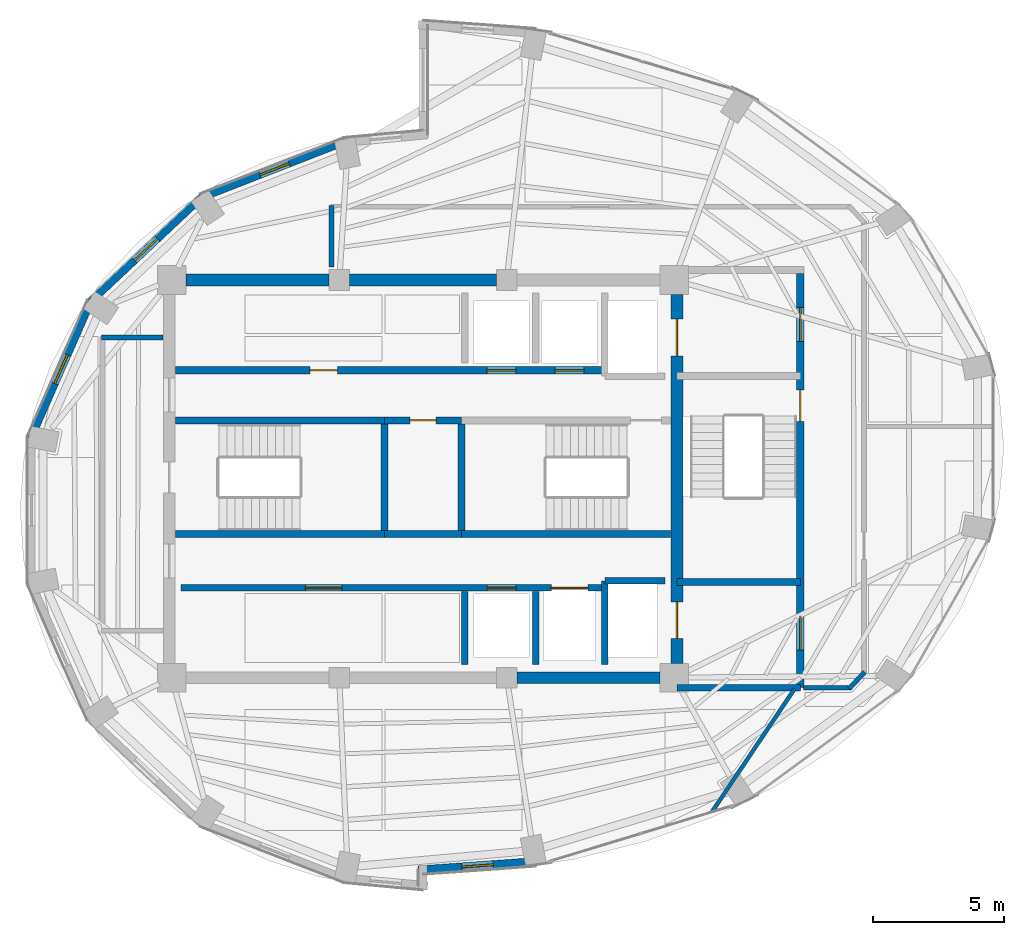
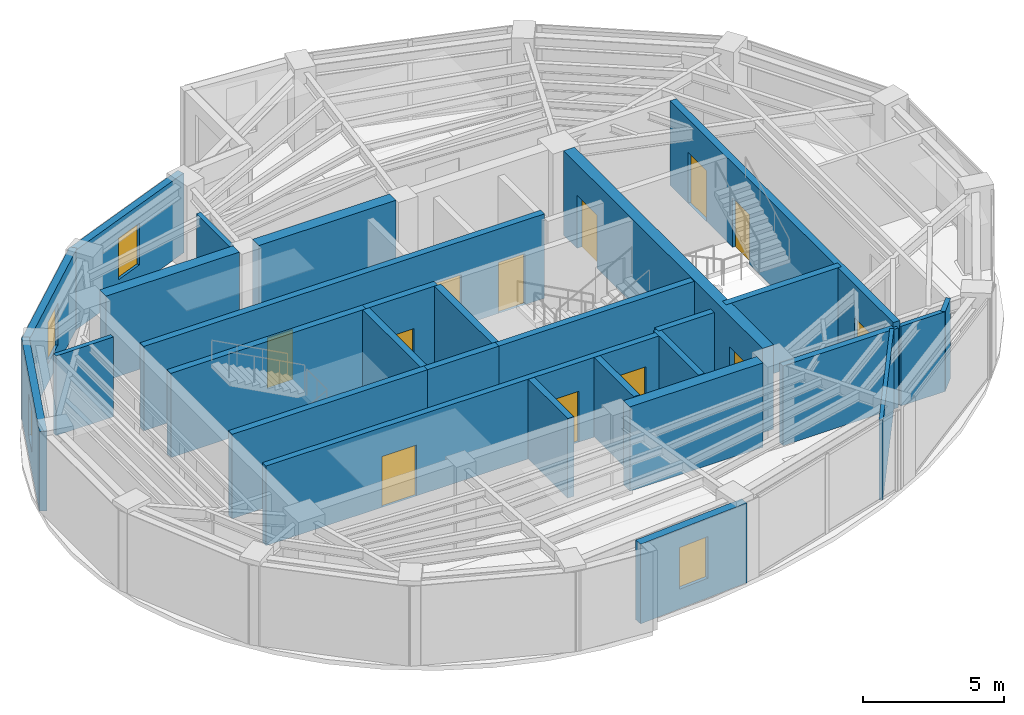
# One storey, part 9 of 12: 29 walls, 12 doors, 4 windows, 16 openings.
"""IFC4 building model written with IfcOpenShell, lengths in metres."""

from ifc_helpers import new_model, si_unit, direction, frame, frame_2d, origin, place, context, subcontext, project, spatial, rectangle, extrude, material, layer, layer_set, type_object, element, fill, save


model = new_model("IFC4")

# Units and contexts
model_context = context("Model", 3, precision=1e-05, world=origin(), true_north=direction((0.0, 1.0)))
body_context = subcontext(model_context, "Body", "Model", "MODEL_VIEW")
ifc_project = project(units=[si_unit("LENGTHUNIT", "METRE"), si_unit("AREAUNIT", "SQUARE_METRE"), si_unit("VOLUMEUNIT", "CUBIC_METRE"), si_unit("PLANEANGLEUNIT", "RADIAN"), si_unit("MASSUNIT", "GRAM", prefix="KILO")], contexts=[model_context])

# Site, building, storey
site_placement = place(None, origin())
site = spatial("IfcSite", under=ifc_project, at=site_placement, CompositionType="ELEMENT")
building_placement = place(site_placement, origin())
building = spatial("IfcBuilding", under=site, at=building_placement, Name="Lazwardi Medical Tower", CompositionType="ELEMENT")
storey_placement = place(building_placement, frame((0.0, 0.0, 287.85595703125)))
storey = spatial("IfcBuildingStorey", under=building, at=storey_placement, Name="L75", CompositionType="ELEMENT", Elevation=287.85595703125)

# Walls
ifc_material_1 = material(Name="Fire-rated gypsum board on steel stud", Category="steel")
ifc_layer_1 = layer(ifc_material_1, 0.179931640625)
ifc_layer_set_1 = layer_set([ifc_layer_1], Name="Fire-rated gypsum board on steel stud")
wall_type_1 = type_object("IfcWallType", Name="WL-COR-180", PredefinedType="PARTITIONING", material=ifc_layer_set_1)
wall_1_placement = place(storey_placement, frame((32.5, 36.090087890625, 0.0), z_axis=(0.0, 0.0, 1.0), x_axis=(0.0, 1.0, 0.0)))
element("IfcWall", 1, at=wall_1_placement, inside=storey, type_object=wall_type_1, Name="L75 Corridor partition 1", PredefinedType="PARTITIONING", context=body_context, shape_type="SweptSolid", body=[
    extrude(rectangle(XDim=2.349853515625, YDim=0.179931640625, at=frame_2d((1.1748046875, 0.0))), origin(), (0.0, 0.0, 1.0), 3.447998046875),
])
wall_2_placement = place(storey_placement, frame((52.877197265625, 20.619140625, 0.0), z_axis=(0.0, 0.0, 1.0), x_axis=(-0.682409308253, -0.730970270264, 0.0)))
element("IfcWall", 2, at=wall_2_placement, inside=storey, type_object=wall_type_1, Name="L75 Corridor partition 5", PredefinedType="PARTITIONING", context=body_context, shape_type="SweptSolid", body=[
    extrude(rectangle(XDim=0.859619140625, YDim=0.179931640625, at=frame_2d((0.4296875, 0.0))), origin(), (0.0, 0.0, 1.0), 3.447998046875),
])
wall_3_placement = place(storey_placement, frame((52.35791015625, 20.02001953125, 0.0), z_axis=(0.0, 0.0, 1.0), x_axis=(-1.0, 0.0, 0.0)))
element("IfcWall", 3, at=wall_3_placement, inside=storey, type_object=wall_type_1, Name="L75 Corridor partition 6", PredefinedType="PARTITIONING", context=body_context, shape_type="SweptSolid", body=[
    extrude(rectangle(XDim=1.81787109375, YDim=0.179931640625, at=frame_2d((0.908935546875, 0.0))), origin(), (0.0, 0.0, 1.0), 3.447998046875),
])
wall_4_placement = place(storey_placement, frame((23.7099609375, 33.39990234375, 0.0), z_axis=(0.0, 0.0, 1.0), x_axis=(1.0, 0.0, 0.0)))
element("IfcWall", 4, at=wall_4_placement, inside=storey, type_object=wall_type_1, Name="L75 Corridor partition 9", PredefinedType="PARTITIONING", context=body_context, shape_type="SweptSolid", body=[
    extrude(rectangle(XDim=2.35009765625, YDim=0.179931640625, at=frame_2d((1.175048828125, 0.0))), origin(), (0.0, 0.0, 1.0), 3.447998046875),
])

# Wall, openings, doors
ifc_material_2 = material(Name="Concrete C60/75", Category="concrete")
ifc_layer_2 = layer(ifc_material_2, 0.449951171875)
ifc_layer_set_2 = layer_set([ifc_layer_2], Name="Concrete C60/75")
wall_type_2 = type_object("IfcWallType", Name="WL-CORE-450", PredefinedType="SHEAR", material=ifc_layer_set_2)
wall_5_placement = place(storey_placement, frame((45.699951171875, 20.949951171875, 0.0), z_axis=(0.0, 0.0, 1.0), x_axis=(0.0, 1.0, 0.0)))
wall_5 = element("IfcWall", 5, at=wall_5_placement, inside=storey, type_object=wall_type_2, Name="Core wall CW-S4 east L75", PredefinedType="SHEAR", context=body_context, shape_type="SweptSolid", body=[
    extrude(rectangle(XDim=14.10009765625, YDim=0.449951171875, at=frame_2d((7.050048828125, 0.0))), origin(), (0.0, 0.0, 1.0), 3.64794921875),
])
opening_1_placement = place(wall_5_placement, frame((11.75, 0.0, 0.0)))
opening_1 = element("IfcOpeningElement", 6, at=opening_1_placement, cuts=wall_5, Name="Opening LD-L75-001", PredefinedType="OPENING", context=body_context, shape_type="SweptSolid", body=[
    extrude(rectangle(XDim=1.39990234375, YDim=2.300048828125, at=frame_2d((0.699951171875, 1.14990234375))), frame((0.0, 0.23486328125, 0.0), z_axis=(0.0, -1.0, 0.0), x_axis=(1.0, 0.0, 0.0)), (0.0, 0.0, 1.0), 0.469970703125),
])
opening_2_placement = place(wall_5_placement, frame((0.949951171875, 0.0, 0.0)))
opening_2 = element("IfcOpeningElement", 7, at=opening_2_placement, cuts=wall_5, Name="Opening LD-L75-002", PredefinedType="OPENING", context=body_context, shape_type="SweptSolid", body=[
    extrude(rectangle(XDim=1.39990234375, YDim=2.300048828125, at=frame_2d((0.699951171875, 1.14990234375))), frame((0.0, 0.23486328125, 0.0), z_axis=(0.0, -1.0, 0.0), x_axis=(1.0, 0.0, 0.0)), (0.0, 0.0, 1.0), 0.469970703125),
])
ifc_material_3 = material(Name="Brushed stainless steel bed-lift landing door", Category="steel")
door_type_1 = type_object("IfcDoorType", Name="DR-LFT-1400", OperationType="NOTDEFINED", PredefinedType="DOOR", material=ifc_material_3)
door_1_placement = place(opening_1_placement, origin())
door_1 = element("IfcDoor", 8, at=door_1_placement, inside=storey, type_object=door_type_1, Name="L75 Lift Landing Door FL-01", OperationType="SLIDING_TO_LEFT", OverallHeight=2.300048828125, OverallWidth=1.39990234375, PredefinedType="DOOR", context=body_context, shape_type="SweptSolid", body=[
    extrude(rectangle(XDim=1.39990234375, YDim=2.300048828125, at=frame_2d((0.699951171875, 1.14990234375))), frame((0.0, 0.02490234375, 0.0), z_axis=(0.0, -1.0, 0.0), x_axis=(1.0, 0.0, 0.0)), (0.0, 0.0, 1.0), 0.050048828125),
])
fill(opening_1, door_1)
door_2_placement = place(opening_2_placement, origin())
door_2 = element("IfcDoor", 9, at=door_2_placement, inside=storey, type_object=door_type_1, Name="L75 Lift Landing Door FL-02", OperationType="SLIDING_TO_LEFT", OverallHeight=2.300048828125, OverallWidth=1.39990234375, PredefinedType="DOOR", context=body_context, shape_type="SweptSolid", body=[
    extrude(rectangle(XDim=1.39990234375, YDim=2.300048828125, at=frame_2d((0.699951171875, 1.14990234375))), frame((0.0, 0.02490234375, 0.0), z_axis=(0.0, -1.0, 0.0), x_axis=(1.0, 0.0, 0.0)), (0.0, 0.0, 1.0), 0.050048828125),
])
fill(opening_2, door_2)

# Walls
wall_6_placement = place(storey_placement, frame((26.949951171875, 35.60009765625, 0.0), z_axis=(0.0, 0.0, 1.0), x_axis=(1.0, 0.0, 0.0)))
element("IfcWall", 10, at=wall_6_placement, inside=storey, type_object=wall_type_2, Name="Core wall CW-S4 N1 L75", PredefinedType="SHEAR", context=body_context, shape_type="SweptSolid", body=[
    extrude(rectangle(XDim=5.449951171875, YDim=0.449951171875, at=frame_2d((2.72509765625, 0.0))), origin(), (0.0, 0.0, 1.0), 3.64794921875),
])
wall_7_placement = place(storey_placement, frame((33.199951171875, 35.60009765625, 0.0), z_axis=(0.0, 0.0, 1.0), x_axis=(1.0, 0.0, 0.0)))
element("IfcWall", 11, at=wall_7_placement, inside=storey, type_object=wall_type_2, Name="Core wall CW-S4 N2 L75", PredefinedType="SHEAR", context=body_context, shape_type="SweptSolid", body=[
    extrude(rectangle(XDim=5.60009765625, YDim=0.449951171875, at=frame_2d((2.800048828125, 0.0))), origin(), (0.0, 0.0, 1.0), 3.64794921875),
])
wall_8_placement = place(storey_placement, frame((39.60009765625, 20.39990234375, 0.0), z_axis=(0.0, 0.0, 1.0), x_axis=(1.0, 0.0, 0.0)))
element("IfcWall", 12, at=wall_8_placement, inside=storey, type_object=wall_type_2, Name="Core wall CW-S4 S3 L75", PredefinedType="SHEAR", context=body_context, shape_type="SweptSolid", body=[
    extrude(rectangle(XDim=5.449951171875, YDim=0.449951171875, at=frame_2d((2.72509765625, 0.0))), origin(), (0.0, 0.0, 1.0), 3.64794921875),
])

# Wall, opening, window
ifc_material_4 = material(Name="Precast concrete C45/55", Category="concrete")
ifc_layer_3 = layer(ifc_material_4, 0.280029296875)
ifc_layer_set_3 = layer_set([ifc_layer_3], Name="Precast concrete C45/55")
wall_type_3 = type_object("IfcWallType", Name="WL-DRUM-280", PredefinedType="SOLIDWALL", material=ifc_layer_set_3)
wall_9_placement = place(storey_placement, frame((33.227783203125, 40.964111328125, 0.0), z_axis=(0.0, 0.0, 1.0), x_axis=(-0.931716550814, -0.36318627306, 0.0)))
wall_9 = element("IfcWall", 13, at=wall_9_placement, inside=storey, type_object=wall_type_3, Name="L75 West Drum Precast Wall 1", PredefinedType="SOLIDWALL", context=body_context, shape_type="SweptSolid", body=[
    extrude(rectangle(XDim=6.22412109375, YDim=0.280029296875, at=frame_2d((3.112060546875, 0.0))), origin(), (0.0, 0.0, 1.0), 3.447998046875),
])
opening_3_placement = place(wall_9_placement, frame((2.511962890625, 0.0, 0.85009765625)))
opening_3 = element("IfcOpeningElement", 14, at=opening_3_placement, cuts=wall_9, Name="Opening WN-04", PredefinedType="OPENING", context=body_context, shape_type="SweptSolid", body=[
    extrude(rectangle(XDim=1.199951171875, YDim=1.800048828125, at=frame_2d((0.60009765625, 0.89990234375))), frame((0.0, 0.14990234375, 0.0), z_axis=(0.0, -1.0, 0.0), x_axis=(1.0, 0.0, 0.0)), (0.0, 0.0, 1.0), 0.300048828125),
])
ifc_material_5 = material(Name="Low-e bronze solar control double glazing", Category="glass")
window_type = type_object("IfcWindowType", Name="WIN-DRUM-1200", PartitioningType="SINGLE_PANEL", PredefinedType="WINDOW", material=ifc_material_5)
window_1_placement = place(opening_3_placement, origin())
window_1 = element("IfcWindow", 15, at=window_1_placement, inside=storey, type_object=window_type, Name="L75 West Drum Window 1", OverallHeight=1.800048828125, OverallWidth=1.199951171875, PartitioningType="SINGLE_PANEL", PredefinedType="WINDOW", context=body_context, shape_type="SweptSolid", body=[
    extrude(rectangle(XDim=1.199951171875, YDim=1.800048828125, at=frame_2d((0.60009765625, 0.89990234375))), frame((0.0, 0.030029296875, 0.0), z_axis=(0.0, -1.0, 0.0), x_axis=(1.0, 0.0, 0.0)), (0.0, 0.0, 1.0), 0.06005859375),
])
fill(opening_3, window_1)

wall_10_placement = place(storey_placement, frame((27.5947265625, 38.808349609375, 0.0), z_axis=(0.0, 0.0, 1.0), x_axis=(-0.728251519923, -0.685309947199, 0.0)))
wall_10 = element("IfcWall", 16, at=wall_10_placement, inside=storey, type_object=wall_type_3, Name="L75 West Drum Precast Wall 2", PredefinedType="SOLIDWALL", context=body_context, shape_type="SweptSolid", body=[
    extrude(rectangle(XDim=5.98095703125, YDim=0.280029296875, at=frame_2d((2.990478515625, 0.0))), origin(), (0.0, 0.0, 1.0), 3.447998046875),
])
opening_4_placement = place(wall_10_placement, frame((2.390625, 0.0, 0.85009765625)))
opening_4 = element("IfcOpeningElement", 17, at=opening_4_placement, cuts=wall_10, Name="Opening WN-04", PredefinedType="OPENING", context=body_context, shape_type="SweptSolid", body=[
    extrude(rectangle(XDim=1.199951171875, YDim=1.800048828125, at=frame_2d((0.60009765625, 0.89990234375))), frame((0.0, 0.14990234375, 0.0), z_axis=(0.0, -1.0, 0.0), x_axis=(1.0, 0.0, 0.0)), (0.0, 0.0, 1.0), 0.300048828125),
])
window_2_placement = place(opening_4_placement, origin())
window_2 = element("IfcWindow", 18, at=window_2_placement, inside=storey, type_object=window_type, Name="L75 West Drum Window 2", OverallHeight=1.800048828125, OverallWidth=1.199951171875, PartitioningType="SINGLE_PANEL", PredefinedType="WINDOW", context=body_context, shape_type="SweptSolid", body=[
    extrude(rectangle(XDim=1.199951171875, YDim=1.800048828125, at=frame_2d((0.60009765625, 0.89990234375))), frame((0.0, 0.030029296875, 0.0), z_axis=(0.0, -1.0, 0.0), x_axis=(1.0, 0.0, 0.0)), (0.0, 0.0, 1.0), 0.06005859375),
])
fill(opening_4, window_2)

wall_11_placement = place(storey_placement, frame((23.35205078125, 34.869384765625, 0.0), z_axis=(0.0, 0.0, 1.0), x_axis=(-0.402882523888, -0.915251698685, 0.0)))
wall_11 = element("IfcWall", 19, at=wall_11_placement, inside=storey, type_object=wall_type_3, Name="L75 West Drum Precast Wall 3", PredefinedType="SOLIDWALL", context=body_context, shape_type="SweptSolid", body=[
    extrude(rectangle(XDim=5.855712890625, YDim=0.280029296875, at=frame_2d((2.927734375, 0.0))), origin(), (0.0, 0.0, 1.0), 3.447998046875),
])
opening_5_placement = place(wall_11_placement, frame((2.327880859375, 0.0, 0.85009765625)))
opening_5 = element("IfcOpeningElement", 20, at=opening_5_placement, cuts=wall_11, Name="Opening WN-04", PredefinedType="OPENING", context=body_context, shape_type="SweptSolid", body=[
    extrude(rectangle(XDim=1.199951171875, YDim=1.800048828125, at=frame_2d((0.60009765625, 0.89990234375))), frame((0.0, 0.14990234375, 0.0), z_axis=(0.0, -1.0, 0.0), x_axis=(1.0, 0.0, 0.0)), (0.0, 0.0, 1.0), 0.300048828125),
])
window_3_placement = place(opening_5_placement, origin())
window_3 = element("IfcWindow", 21, at=window_3_placement, inside=storey, type_object=window_type, Name="L75 West Drum Window 3", OverallHeight=1.800048828125, OverallWidth=1.199951171875, PartitioningType="SINGLE_PANEL", PredefinedType="WINDOW", context=body_context, shape_type="SweptSolid", body=[
    extrude(rectangle(XDim=1.199951171875, YDim=1.800048828125, at=frame_2d((0.60009765625, 0.89990234375))), frame((0.0, 0.030029296875, 0.0), z_axis=(0.0, -1.0, 0.0), x_axis=(1.0, 0.0, 0.0)), (0.0, 0.0, 1.0), 0.06005859375),
])
fill(opening_5, window_3)

ifc_layer_4 = layer(ifc_material_4, 0.320068359375)
ifc_layer_set_4 = layer_set([ifc_layer_4], Name="Precast concrete C45/55")
wall_type_4 = type_object("IfcWallType", Name="WL-IWAN-320", PredefinedType="SOLIDWALL", material=ifc_layer_set_4)
wall_12_placement = place(storey_placement, frame((35.820556640625, 13.047119140625, 0.0), z_axis=(0.0, 0.0, 1.0), x_axis=(0.997409061056, 0.071938619141, 0.0)))
wall_12 = element("IfcWall", 22, at=wall_12_placement, inside=storey, type_object=wall_type_4, Name="L75 Iwan Portal Return Wall SE_ret", PredefinedType="SOLIDWALL", context=body_context, shape_type="SweptSolid", body=[
    extrude(rectangle(XDim=4.540771484375, YDim=0.320068359375, at=frame_2d((2.2705078125, 0.0))), origin(), (0.0, 0.0, 1.0), 3.447998046875),
])
opening_6_placement = place(wall_12_placement, frame((1.67041015625, 0.0, 0.85009765625)))
opening_6 = element("IfcOpeningElement", 23, at=opening_6_placement, cuts=wall_12, Name="Opening WN-04", PredefinedType="OPENING", context=body_context, shape_type="SweptSolid", body=[
    extrude(rectangle(XDim=1.199951171875, YDim=1.800048828125, at=frame_2d((0.60009765625, 0.89990234375))), frame((0.0, 0.169921875, 0.0), z_axis=(0.0, -1.0, 0.0), x_axis=(1.0, 0.0, 0.0)), (0.0, 0.0, 1.0), 0.340087890625),
])
window_4_placement = place(opening_6_placement, origin())
window_4 = element("IfcWindow", 24, at=window_4_placement, inside=storey, type_object=window_type, Name="L75 Iwan Slot Window SE_ret", OverallHeight=1.800048828125, OverallWidth=1.199951171875, PartitioningType="SINGLE_PANEL", PredefinedType="WINDOW", context=body_context, shape_type="SweptSolid", body=[
    extrude(rectangle(XDim=1.199951171875, YDim=1.800048828125, at=frame_2d((0.60009765625, 0.89990234375))), frame((0.0, 0.030029296875, 0.0), z_axis=(0.0, -1.0, 0.0), x_axis=(1.0, 0.0, 0.0)), (0.0, 0.0, 1.0), 0.06005859375),
])
fill(opening_6, window_4)

# Wall, openings, doors
ifc_material_6 = material(Name="Autoclaved aerated concrete blockwork", Category="masonry")
ifc_layer_5 = layer(ifc_material_6, 0.25)
ifc_layer_set_5 = layer_set([ifc_layer_5], Name="Autoclaved aerated concrete blockwork")
wall_type_5 = type_object("IfcWallType", Name="WL-SHAFT-250", PredefinedType="SOLIDWALL", material=ifc_layer_set_5)
wall_13_placement = place(storey_placement, frame((26.75, 23.830078125, 0.0), z_axis=(0.0, 0.0, 1.0), x_axis=(1.0, 0.0, 0.0)))
wall_13 = element("IfcWall", 25, at=wall_13_placement, inside=storey, type_object=wall_type_5, Name="L75 South lift bank front wall", PredefinedType="SOLIDWALL", context=body_context, shape_type="SweptSolid", body=[
    extrude(rectangle(XDim=16.199951171875, YDim=0.25, at=frame_2d((8.10009765625, 0.0))), origin(), (0.0, 0.0, 1.0), 3.447998046875),
])
opening_7_placement = place(wall_13_placement, frame((4.75, 0.0, 0.0)))
opening_7 = element("IfcOpeningElement", 26, at=opening_7_placement, cuts=wall_13, Name="Opening D-L75-003", PredefinedType="OPENING", context=body_context, shape_type="SweptSolid", body=[
    extrude(rectangle(XDim=1.39990234375, YDim=2.199951171875, at=frame_2d((0.699951171875, 1.10009765625))), frame((0.0, 0.135009765625, 0.0), z_axis=(0.0, -1.0, 0.0), x_axis=(1.0, 0.0, 0.0)), (0.0, 0.0, 1.0), 0.27001953125),
])
opening_8_placement = place(wall_13_placement, frame((11.699951171875, 0.0, 0.0)))
opening_8 = element("IfcOpeningElement", 27, at=opening_8_placement, cuts=wall_13, Name="Opening LD-L75-006", PredefinedType="OPENING", context=body_context, shape_type="SweptSolid", body=[
    extrude(rectangle(XDim=1.10009765625, YDim=2.199951171875, at=frame_2d((0.550048828125, 1.10009765625))), frame((0.0, 0.135009765625, 0.0), z_axis=(0.0, -1.0, 0.0), x_axis=(1.0, 0.0, 0.0)), (0.0, 0.0, 1.0), 0.27001953125),
])
opening_9_placement = place(wall_13_placement, frame((14.14990234375, 0.0, 0.0)))
opening_9 = element("IfcOpeningElement", 28, at=opening_9_placement, cuts=wall_13, Name="Opening LD-L75-003", PredefinedType="OPENING", context=body_context, shape_type="SweptSolid", body=[
    extrude(rectangle(XDim=1.39990234375, YDim=2.300048828125, at=frame_2d((0.699951171875, 1.14990234375))), frame((0.0, 0.135009765625, 0.0), z_axis=(0.0, -1.0, 0.0), x_axis=(1.0, 0.0, 0.0)), (0.0, 0.0, 1.0), 0.27001953125),
])
ifc_material_7 = material(Name="Anti-microbial laminate hospital leaf")
door_type_2 = type_object("IfcDoorType", Name="DR-BED-1400", OperationType="NOTDEFINED", PredefinedType="DOOR", material=ifc_material_7)
door_3_placement = place(opening_7_placement, origin())
door_3 = element("IfcDoor", 29, at=door_3_placement, inside=storey, type_object=door_type_2, Name="L75 Core South Suite Door", OperationType="SINGLE_SWING_LEFT", OverallHeight=2.199951171875, OverallWidth=1.39990234375, PredefinedType="DOOR", context=body_context, shape_type="SweptSolid", body=[
    extrude(rectangle(XDim=1.39990234375, YDim=2.199951171875, at=frame_2d((0.699951171875, 1.10009765625))), frame((0.0, 0.02490234375, 0.0), z_axis=(0.0, -1.0, 0.0), x_axis=(1.0, 0.0, 0.0)), (0.0, 0.0, 1.0), 0.050048828125),
])
fill(opening_7, door_3)
ifc_material_8 = material(Name="Brushed bronze stainless steel landing door", Category="steel")
door_type_3 = type_object("IfcDoorType", Name="DR-LFT-1100", OperationType="NOTDEFINED", PredefinedType="DOOR", material=ifc_material_8)
door_4_placement = place(opening_8_placement, origin())
door_4 = element("IfcDoor", 30, at=door_4_placement, inside=storey, type_object=door_type_3, Name="L75 Lift Landing Door PL-11", OperationType="SLIDING_TO_LEFT", OverallHeight=2.199951171875, OverallWidth=1.10009765625, PredefinedType="DOOR", context=body_context, shape_type="SweptSolid", body=[
    extrude(rectangle(XDim=1.10009765625, YDim=2.199951171875, at=frame_2d((0.550048828125, 1.10009765625))), frame((0.0, 0.02490234375, 0.0), z_axis=(0.0, -1.0, 0.0), x_axis=(1.0, 0.0, 0.0)), (0.0, 0.0, 1.0), 0.050048828125),
])
fill(opening_8, door_4)
door_5_placement = place(opening_9_placement, origin())
door_5 = element("IfcDoor", 31, at=door_5_placement, inside=storey, type_object=door_type_1, Name="L75 Lift Landing Door FL-03", OperationType="SLIDING_TO_LEFT", OverallHeight=2.300048828125, OverallWidth=1.39990234375, PredefinedType="DOOR", context=body_context, shape_type="SweptSolid", body=[
    extrude(rectangle(XDim=1.39990234375, YDim=2.300048828125, at=frame_2d((0.699951171875, 1.14990234375))), frame((0.0, 0.02490234375, 0.0), z_axis=(0.0, -1.0, 0.0), x_axis=(1.0, 0.0, 0.0)), (0.0, 0.0, 1.0), 0.050048828125),
])
fill(opening_9, door_5)

# Walls
wall_14_placement = place(storey_placement, frame((42.949951171875, 20.89990234375, 0.0), z_axis=(0.0, 0.0, 1.0), x_axis=(0.0, 1.0, 0.0)))
element("IfcWall", 32, at=wall_14_placement, inside=storey, type_object=wall_type_5, Name="L75 FL-02 West shaft wall", PredefinedType="SOLIDWALL", context=body_context, shape_type="SweptSolid", body=[
    extrude(rectangle(XDim=3.2001953125, YDim=0.25, at=frame_2d((1.60009765625, 0.0))), origin(), (0.0, 0.0, 1.0), 3.447998046875),
])
wall_15_placement = place(storey_placement, frame((42.949951171875, 24.10009765625, 0.0), z_axis=(0.0, 0.0, 1.0), x_axis=(1.0, 0.0, 0.0)))
element("IfcWall", 33, at=wall_15_placement, inside=storey, type_object=wall_type_5, Name="L75 FL-02 North shaft wall", PredefinedType="SOLIDWALL", context=body_context, shape_type="SweptSolid", body=[
    extrude(rectangle(XDim=2.300048828125, YDim=0.25, at=frame_2d((1.14990234375, 0.0))), origin(), (0.0, 0.0, 1.0), 3.447998046875),
])
for number, where, z_axis, x_axis, name in (
    (34, (37.60009765625, 20.89990234375, 0.0), (0.0, 0.0, 1.0), (0.0, 1.0, 0.0), "L75 South hoistway divider"),
    (35, (40.300048828125, 20.89990234375, 0.0), (0.0, 0.0, 1.0), (0.0, 1.0, 0.0), "L75 South hoistway divider"),
):
    element("IfcWall", number, at=place(storey_placement, frame(where, z_axis=z_axis, x_axis=x_axis)), inside=storey, type_object=wall_type_5, Name=name, PredefinedType="SOLIDWALL", context=body_context, shape_type="SweptSolid", body=[
        extrude(rectangle(XDim=2.800048828125, YDim=0.25, at=frame_2d((1.39990234375, 0.0))), origin(), (0.0, 0.0, 1.0), 3.447998046875),
    ])
wall_16_placement = place(storey_placement, frame((45.699951171875, 20.02001953125, 0.0), z_axis=(0.0, 0.0, 1.0), x_axis=(1.0, 0.0, 0.0)))
element("IfcWall", 36, at=wall_16_placement, inside=storey, type_object=wall_type_5, Name="L75 FFL-S South wall", PredefinedType="SOLIDWALL", context=body_context, shape_type="SweptSolid", body=[
    extrude(rectangle(XDim=4.715087890625, YDim=0.25, at=frame_2d((2.357421875, 0.0))), origin(), (0.0, 0.0, 1.0), 3.447998046875),
])
ifc_material_9 = material(Name="Concrete C50/60", Category="concrete")
ifc_layer_6 = layer(ifc_material_9, 0.27001953125)
ifc_layer_set_6 = layer_set([ifc_layer_6], Name="Concrete C50/60")
wall_type_6 = type_object("IfcWallType", Name="WL-STR-250", PredefinedType="SHEAR", material=ifc_layer_set_6)
wall_17_placement = place(storey_placement, frame((26.550048828125, 30.235107421875, 0.0), z_axis=(0.0, 0.0, 1.0), x_axis=(1.0, 0.0, 0.0)))
element("IfcWall", 37, at=wall_17_placement, inside=storey, type_object=wall_type_6, Name="L75 ST1 North shear shaft wall SW-S1", PredefinedType="SHEAR", context=body_context, shape_type="SweptSolid", body=[
    extrude(rectangle(XDim=7.98486328125, YDim=0.27001953125, at=frame_2d((3.992431640625, 0.0))), origin(), (0.0, 0.0, 1.0), 3.64794921875),
])

# Wall, opening, door
wall_18_placement = place(storey_placement, frame((34.534912109375, 30.235107421875, 0.0), z_axis=(0.0, 0.0, 1.0), x_axis=(1.0, 0.0, 0.0)))
wall_18 = element("IfcWall", 38, at=wall_18_placement, inside=storey, type_object=wall_type_6, Name="L75 Core service North shear wall SW-S1", PredefinedType="SHEAR", context=body_context, shape_type="SweptSolid", body=[
    extrude(rectangle(XDim=2.93017578125, YDim=0.27001953125, at=frame_2d((1.465087890625, 0.0))), origin(), (0.0, 0.0, 1.0), 3.64794921875),
])
opening_10_placement = place(wall_18_placement, frame((0.965087890625, 0.0, 0.0)))
opening_10 = element("IfcOpeningElement", 39, at=opening_10_placement, cuts=wall_18, Name="Opening D-L75-001", PredefinedType="OPENING", context=body_context, shape_type="SweptSolid", body=[
    extrude(rectangle(XDim=1.0, YDim=2.10009765625, at=frame_2d((0.5, 1.050048828125))), frame((0.0, 0.14501953125, 0.0), z_axis=(0.0, -1.0, 0.0), x_axis=(1.0, 0.0, 0.0)), (0.0, 0.0, 1.0), 0.2900390625),
])
ifc_material_10 = material(Name="Moisture-resistant laminate door leaf")
door_type_4 = type_object("IfcDoorType", Name="DR-AWC-1000", OperationType="NOTDEFINED", PredefinedType="DOOR", material=ifc_material_10)
door_6_placement = place(opening_10_placement, origin())
door_6 = element("IfcDoor", 40, at=door_6_placement, inside=storey, type_object=door_type_4, Name="L75 Accessible WC Door", OperationType="SINGLE_SWING_LEFT", OverallHeight=2.10009765625, OverallWidth=1.0, PredefinedType="DOOR", context=body_context, shape_type="SweptSolid", body=[
    extrude(rectangle(XDim=1.0, YDim=2.10009765625, at=frame_2d((0.5, 1.050048828125))), frame((0.0, 0.02490234375, 0.0), z_axis=(0.0, -1.0, 0.0), x_axis=(1.0, 0.0, 0.0)), (0.0, 0.0, 1.0), 0.050048828125),
])
fill(opening_10, door_6)

# Walls
wall_19_placement = place(storey_placement, frame((26.550048828125, 25.885009765625, 0.0), z_axis=(0.0, 0.0, 1.0), x_axis=(1.0, 0.0, 0.0)))
element("IfcWall", 41, at=wall_19_placement, inside=storey, type_object=wall_type_6, Name="L75 ST1 South shear shaft wall SW-S1", PredefinedType="SHEAR", context=body_context, shape_type="SweptSolid", body=[
    extrude(rectangle(XDim=7.98486328125, YDim=0.27001953125, at=frame_2d((3.992431640625, 0.0))), origin(), (0.0, 0.0, 1.0), 3.64794921875),
])
wall_20_placement = place(storey_placement, frame((34.534912109375, 25.885009765625, 0.0), z_axis=(0.0, 0.0, 1.0), x_axis=(1.0, 0.0, 0.0)))
element("IfcWall", 42, at=wall_20_placement, inside=storey, type_object=wall_type_6, Name="L75 Core service South shear wall SW-S1", PredefinedType="SHEAR", context=body_context, shape_type="SweptSolid", body=[
    extrude(rectangle(XDim=2.93017578125, YDim=0.27001953125, at=frame_2d((1.465087890625, 0.0))), origin(), (0.0, 0.0, 1.0), 3.64794921875),
])
wall_21_placement = place(storey_placement, frame((37.465087890625, 25.885009765625, 0.0), z_axis=(0.0, 0.0, 1.0), x_axis=(1.0, 0.0, 0.0)))
element("IfcWall", 43, at=wall_21_placement, inside=storey, type_object=wall_type_6, Name="L75 ST2 South shear shaft wall SW-S1", PredefinedType="SHEAR", context=body_context, shape_type="SweptSolid", body=[
    extrude(rectangle(XDim=7.98486328125, YDim=0.27001953125, at=frame_2d((3.992431640625, 0.0))), origin(), (0.0, 0.0, 1.0), 3.64794921875),
])
for number, where, z_axis, x_axis, name in (
    (44, (34.534912109375, 26.02001953125, 0.0), (0.0, 0.0, 1.0), (0.0, 1.0, 0.0), "L75 ST1 East shear shaft wall SW-S1"),
    (45, (37.465087890625, 26.02001953125, 0.0), (0.0, 0.0, 1.0), (0.0, 1.0, 0.0), "L75 ST2 West shear shaft wall SW-S1"),
):
    element("IfcWall", number, at=place(storey_placement, frame(where, z_axis=z_axis, x_axis=x_axis)), inside=storey, type_object=wall_type_6, Name=name, PredefinedType="SHEAR", context=body_context, shape_type="SweptSolid", body=[
        extrude(rectangle(XDim=4.080078125, YDim=0.27001953125, at=frame_2d((2.0400390625, 0.0))), origin(), (0.0, 0.0, 1.0), 3.64794921875),
    ])

# Wall, openings, doors
wall_22_placement = place(storey_placement, frame((26.550048828125, 32.14990234375, 0.0), z_axis=(0.0, 0.0, 1.0), x_axis=(1.0, 0.0, 0.0)))
wall_22 = element("IfcWall", 46, at=wall_22_placement, inside=storey, type_object=wall_type_6, Name="L75 North lift bank shear wall SW-S1", PredefinedType="SHEAR", context=body_context, shape_type="SweptSolid", body=[
    extrude(rectangle(XDim=16.39990234375, YDim=0.27001953125, at=frame_2d((8.199951171875, 0.0))), origin(), (0.0, 0.0, 1.0), 3.64794921875),
])
opening_11_placement = place(wall_22_placement, frame((5.125, 0.0, 0.0)))
opening_11 = element("IfcOpeningElement", 47, at=opening_11_placement, cuts=wall_22, Name="Opening D-L75-002", PredefinedType="OPENING", context=body_context, shape_type="SweptSolid", body=[
    extrude(rectangle(XDim=1.050048828125, YDim=2.14990234375, at=frame_2d((0.52490234375, 1.074951171875))), frame((0.0, 0.14501953125, 0.0), z_axis=(0.0, -1.0, 0.0), x_axis=(1.0, 0.0, 0.0)), (0.0, 0.0, 1.0), 0.2900390625),
])
opening_12_placement = place(wall_22_placement, frame((11.89990234375, 0.0, 0.0)))
opening_12 = element("IfcOpeningElement", 48, at=opening_12_placement, cuts=wall_22, Name="Opening LD-L75-004", PredefinedType="OPENING", context=body_context, shape_type="SweptSolid", body=[
    extrude(rectangle(XDim=1.10009765625, YDim=2.199951171875, at=frame_2d((0.550048828125, 1.10009765625))), frame((0.0, 0.14501953125, 0.0), z_axis=(0.0, -1.0, 0.0), x_axis=(1.0, 0.0, 0.0)), (0.0, 0.0, 1.0), 0.2900390625),
])
opening_13_placement = place(wall_22_placement, frame((14.5, 0.0, 0.0)))
opening_13 = element("IfcOpeningElement", 49, at=opening_13_placement, cuts=wall_22, Name="Opening LD-L75-005", PredefinedType="OPENING", context=body_context, shape_type="SweptSolid", body=[
    extrude(rectangle(XDim=1.10009765625, YDim=2.199951171875, at=frame_2d((0.550048828125, 1.10009765625))), frame((0.0, 0.14501953125, 0.0), z_axis=(0.0, -1.0, 0.0), x_axis=(1.0, 0.0, 0.0)), (0.0, 0.0, 1.0), 0.2900390625),
])
door_type_5 = type_object("IfcDoorType", Name="DR-CLN-1050", OperationType="NOTDEFINED", PredefinedType="DOOR", material=ifc_material_7)
door_7_placement = place(opening_11_placement, origin())
door_7 = element("IfcDoor", 50, at=door_7_placement, inside=storey, type_object=door_type_5, Name="L75 Core North Suite Door", OperationType="SINGLE_SWING_RIGHT", OverallHeight=2.14990234375, OverallWidth=1.050048828125, PredefinedType="DOOR", context=body_context, shape_type="SweptSolid", body=[
    extrude(rectangle(XDim=1.050048828125, YDim=2.14990234375, at=frame_2d((0.52490234375, 1.074951171875))), frame((0.0, 0.02490234375, 0.0), z_axis=(0.0, -1.0, 0.0), x_axis=(1.0, 0.0, 0.0)), (0.0, 0.0, 1.0), 0.050048828125),
])
fill(opening_11, door_7)
door_8_placement = place(opening_12_placement, origin())
door_8 = element("IfcDoor", 51, at=door_8_placement, inside=storey, type_object=door_type_3, Name="L75 Lift Landing Door PL-09", OperationType="SLIDING_TO_LEFT", OverallHeight=2.199951171875, OverallWidth=1.10009765625, PredefinedType="DOOR", context=body_context, shape_type="SweptSolid", body=[
    extrude(rectangle(XDim=1.10009765625, YDim=2.199951171875, at=frame_2d((0.550048828125, 1.10009765625))), frame((0.0, 0.02490234375, 0.0), z_axis=(0.0, -1.0, 0.0), x_axis=(1.0, 0.0, 0.0)), (0.0, 0.0, 1.0), 0.050048828125),
])
fill(opening_12, door_8)
door_9_placement = place(opening_13_placement, origin())
door_9 = element("IfcDoor", 52, at=door_9_placement, inside=storey, type_object=door_type_3, Name="L75 Lift Landing Door PL-10", OperationType="SLIDING_TO_LEFT", OverallHeight=2.199951171875, OverallWidth=1.10009765625, PredefinedType="DOOR", context=body_context, shape_type="SweptSolid", body=[
    extrude(rectangle(XDim=1.10009765625, YDim=2.199951171875, at=frame_2d((0.550048828125, 1.10009765625))), frame((0.0, 0.02490234375, 0.0), z_axis=(0.0, -1.0, 0.0), x_axis=(1.0, 0.0, 0.0)), (0.0, 0.0, 1.0), 0.050048828125),
])
fill(opening_13, door_9)

wall_23_placement = place(storey_placement, frame((50.4150390625, 35.844970703125, 0.0), z_axis=(0.0, 0.0, 1.0), x_axis=(0.0, -1.0, 0.0)))
wall_23 = element("IfcWall", 53, at=wall_23_placement, inside=storey, type_object=wall_type_6, Name="L75 East ST3 & FFL shear wall SW-S1", PredefinedType="SHEAR", context=body_context, shape_type="SweptSolid", body=[
    extrude(rectangle(XDim=15.824951171875, YDim=0.27001953125, at=frame_2d((7.91259765625, 0.0))), origin(), (0.0, 0.0, 1.0), 3.64794921875),
])
opening_14_placement = place(wall_23_placement, frame((4.445068359375, 0.0, 0.0)))
opening_14 = element("IfcOpeningElement", 54, at=opening_14_placement, cuts=wall_23, Name="Opening D-L75-012", PredefinedType="OPENING", context=body_context, shape_type="SweptSolid", body=[
    extrude(rectangle(XDim=1.199951171875, YDim=2.14990234375, at=frame_2d((0.60009765625, 1.074951171875))), frame((0.0, 0.14501953125, 0.0), z_axis=(0.0, -1.0, 0.0), x_axis=(1.0, 0.0, 0.0)), (0.0, 0.0, 1.0), 0.2900390625),
])
opening_15_placement = place(wall_23_placement, frame((1.294921875, 0.0, 0.0)))
opening_15 = element("IfcOpeningElement", 55, at=opening_15_placement, cuts=wall_23, Name="Opening D-L75-004", PredefinedType="OPENING", context=body_context, shape_type="SweptSolid", body=[
    extrude(rectangle(XDim=1.300048828125, YDim=2.199951171875, at=frame_2d((0.64990234375, 1.10009765625))), frame((0.0, 0.14501953125, 0.0), z_axis=(0.0, -1.0, 0.0), x_axis=(1.0, 0.0, 0.0)), (0.0, 0.0, 1.0), 0.2900390625),
])
opening_16_placement = place(wall_23_placement, frame((13.094970703125, 0.0, 0.0)))
opening_16 = element("IfcOpeningElement", 56, at=opening_16_placement, cuts=wall_23, Name="Opening D-L75-005", PredefinedType="OPENING", context=body_context, shape_type="SweptSolid", body=[
    extrude(rectangle(XDim=1.300048828125, YDim=2.199951171875, at=frame_2d((0.64990234375, 1.10009765625))), frame((0.0, 0.14501953125, 0.0), z_axis=(0.0, -1.0, 0.0), x_axis=(1.0, 0.0, 0.0)), (0.0, 0.0, 1.0), 0.2900390625),
])
ifc_material_11 = material(Name="Fire-rated steel leaf and frame", Category="steel")
door_type_6 = type_object("IfcDoorType", Name="DR-FFL-1300", OperationType="NOTDEFINED", PredefinedType="DOOR", material=ifc_material_11)
door_10_placement = place(opening_15_placement, origin())
door_10 = element("IfcDoor", 57, at=door_10_placement, inside=storey, type_object=door_type_6, Name="L75 Fire-Fighting Lobby North Door", OperationType="SINGLE_SWING_LEFT", OverallHeight=2.199951171875, OverallWidth=1.300048828125, PredefinedType="DOOR", context=body_context, shape_type="SweptSolid", body=[
    extrude(rectangle(XDim=1.300048828125, YDim=2.199951171875, at=frame_2d((0.64990234375, 1.10009765625))), frame((0.0, 0.02490234375, 0.0), z_axis=(0.0, -1.0, 0.0), x_axis=(1.0, 0.0, 0.0)), (0.0, 0.0, 1.0), 0.050048828125),
])
fill(opening_15, door_10)
door_11_placement = place(opening_16_placement, origin())
door_11 = element("IfcDoor", 58, at=door_11_placement, inside=storey, type_object=door_type_6, Name="L75 Fire-Fighting Lobby South Door", OperationType="SINGLE_SWING_RIGHT", OverallHeight=2.199951171875, OverallWidth=1.300048828125, PredefinedType="DOOR", context=body_context, shape_type="SweptSolid", body=[
    extrude(rectangle(XDim=1.300048828125, YDim=2.199951171875, at=frame_2d((0.64990234375, 1.10009765625))), frame((0.0, 0.02490234375, 0.0), z_axis=(0.0, -1.0, 0.0), x_axis=(1.0, 0.0, 0.0)), (0.0, 0.0, 1.0), 0.050048828125),
])
fill(opening_16, door_11)
door_type_7 = type_object("IfcDoorType", Name="DR-STR-1200", OperationType="NOTDEFINED", PredefinedType="DOOR", material=ifc_material_11)
door_12_placement = place(opening_14_placement, origin())
door_12 = element("IfcDoor", 59, at=door_12_placement, inside=storey, type_object=door_type_7, Name="L75 Exit Stair ST3 Door", OperationType="SINGLE_SWING_RIGHT", OverallHeight=2.14990234375, OverallWidth=1.199951171875, PredefinedType="DOOR", context=body_context, shape_type="SweptSolid", body=[
    extrude(rectangle(XDim=1.199951171875, YDim=2.14990234375, at=frame_2d((0.60009765625, 1.074951171875))), frame((0.0, 0.02490234375, 0.0), z_axis=(0.0, -1.0, 0.0), x_axis=(1.0, 0.0, 0.0)), (0.0, 0.0, 1.0), 0.050048828125),
])
fill(opening_14, door_12)

# Walls
wall_24_placement = place(storey_placement, frame((45.699951171875, 24.06494140625, 0.0), z_axis=(0.0, 0.0, 1.0), x_axis=(1.0, 0.0, 0.0)))
element("IfcWall", 60, at=wall_24_placement, inside=storey, type_object=wall_type_6, Name="L75 ST3 South shear shaft wall SW-S1", PredefinedType="SHEAR", context=body_context, shape_type="SweptSolid", body=[
    extrude(rectangle(XDim=4.715087890625, YDim=0.27001953125, at=frame_2d((2.357421875, 0.0))), origin(), (0.0, 0.0, 1.0), 3.64794921875),
])
ifc_material_12 = material(Name="Acoustic gypsum board partition")
ifc_layer_7 = layer(ifc_material_12, 0.14990234375)
ifc_layer_set_7 = layer_set([ifc_layer_7], Name="Acoustic gypsum board partition")
wall_type_7 = type_object("IfcWallType", Name="WL-WRD-150", PredefinedType="PARTITIONING", material=ifc_layer_set_7)
wall_25_placement = place(storey_placement, frame((50.1962890625, 19.97314453125, 0.0), z_axis=(0.0, 0.0, 1.0), x_axis=(-0.557432490255, -0.830222270725, 0.0)))
element("IfcWall", 61, at=wall_25_placement, inside=storey, type_object=wall_type_7, Name="L75 Room partition 2", PredefinedType="PARTITIONING", context=body_context, shape_type="SweptSolid", body=[
    extrude(rectangle(XDim=5.664306640625, YDim=0.14990234375, at=frame_2d((2.83203125, 0.0))), origin(), (0.0, 0.0, 1.0), 3.447998046875),
])

save(model, "model.ifc")
